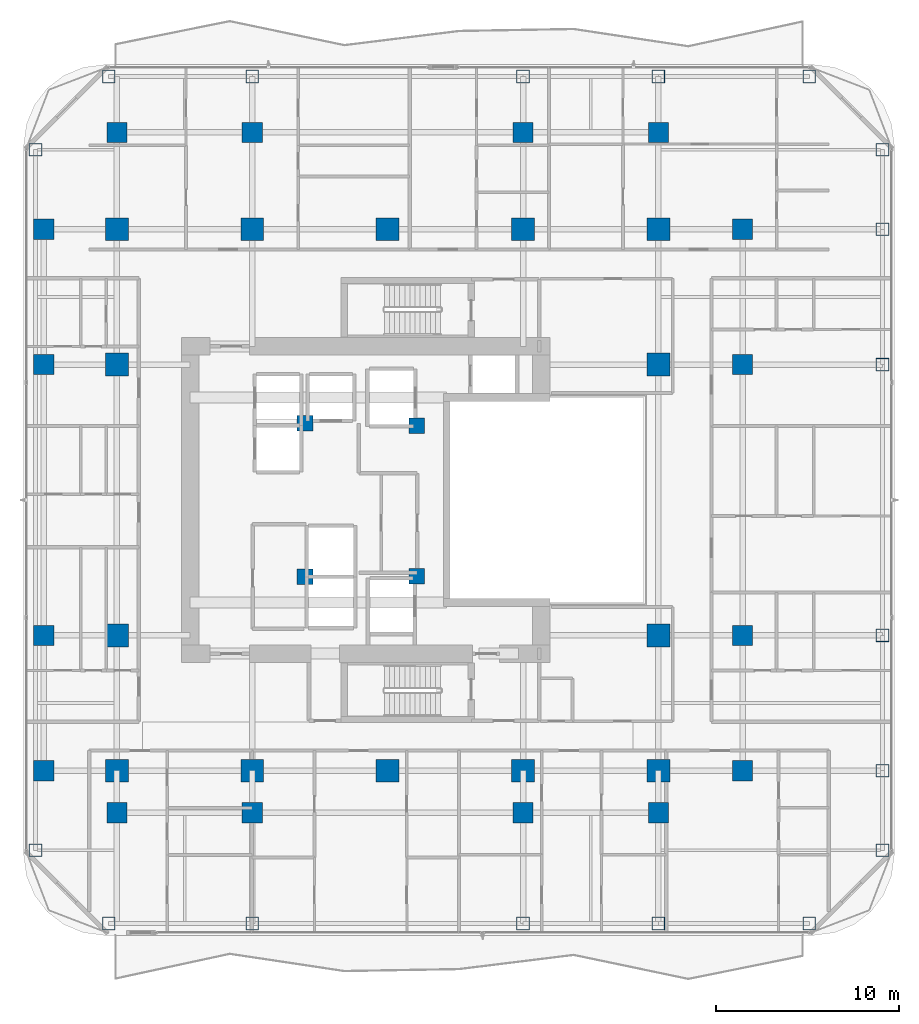
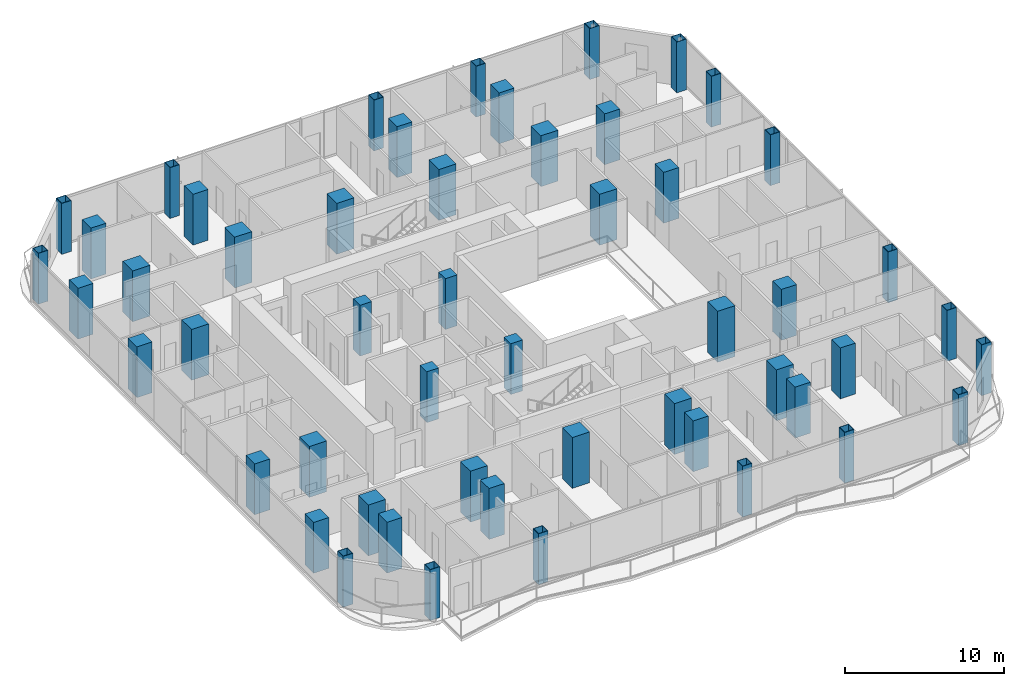
# One storey, part 1 of 29: 52 columns.
"""IFC4 building model written with IfcOpenShell, lengths in metres."""

from ifc_helpers import new_model, si_unit, direction, frame, origin, origin_2d, place, context, subcontext, project, spatial, rectangle, hollow_rectangle, extrude, material, material_profile, profile_set, type_object, element, save


model = new_model("IFC4")

# Units and contexts
model_context = context("Model", 3, precision=1e-05, world=origin(), true_north=direction((0.0, 1.0)))
body_context = subcontext(model_context, "Body", "Model", "MODEL_VIEW")
ifc_project = project(units=[si_unit("LENGTHUNIT", "METRE"), si_unit("AREAUNIT", "SQUARE_METRE"), si_unit("VOLUMEUNIT", "CUBIC_METRE"), si_unit("PLANEANGLEUNIT", "RADIAN"), si_unit("MASSUNIT", "GRAM", prefix="KILO")], contexts=[model_context])

# Site, building, storey
site_placement = place(None, origin())
site = spatial("IfcSite", under=ifc_project, at=site_placement, CompositionType="ELEMENT")
building_placement = place(site_placement, origin())
building = spatial("IfcBuilding", under=site, at=building_placement, Name="Khorvyn Point Tower", CompositionType="ELEMENT")
storey_placement = place(building_placement, frame((0.0, 0.0, 144.60009765625)))
storey = spatial("IfcBuildingStorey", under=building, at=storey_placement, Name="L36", CompositionType="ELEMENT", Elevation=144.60009765625)

# Columns
ifc_material_1 = material(Name="Concrete C40/50", Category="concrete")
ifc_material_profile_1 = material_profile(ifc_material_1, rectangle(XDim=0.85009765625, YDim=0.85009765625, at=origin_2d()))
ifc_profile_set_1 = profile_set([ifc_material_profile_1], Name="Concrete C40/50 RC850x850")
column_type_1 = type_object("IfcColumnType", Name="Concrete C40/50 Column RC850x850", PredefinedType="COLUMN", material=ifc_profile_set_1)
for number, where, z_axis, x_axis, name in (
    (1, (-4.52001953125, -4.199951171875, 0.0), (0.0, 0.0, 1.0), (1.0, 0.0, 0.0), "L36 Crown Core Spine Column 1"),
    (2, (1.580078125, -4.179931640625, 0.0), (0.0, 0.0, 1.0), (1.0, 0.0, 0.0), "L36 Crown Core Spine Column 2"),
    (3, (1.580078125, 4.050048828125, 0.0), (0.0, 0.0, 1.0), (1.0, 0.0, 0.0), "L36 Crown Core Spine Column 3"),
    (4, (-4.52001953125, 4.199951171875, 0.0), (0.0, 0.0, 1.0), (1.0, 0.0, 0.0), "L36 Crown Core Spine Column 4"),
):
    element("IfcColumn", number, at=place(storey_placement, frame(where, z_axis=z_axis, x_axis=x_axis)), inside=storey, type_object=column_type_1, Name=name, PredefinedType="COLUMN", context=body_context, shape_type="SweptSolid", body=[
        extrude(rectangle(XDim=0.85009765625, YDim=0.85009765625, at=origin_2d()), origin(), (0.0, 0.0, 1.0), 3.89990234375),
    ])
ifc_material_2 = material(Name="Concrete C45/55", Category="concrete")
ifc_material_profile_2 = material_profile(ifc_material_2, rectangle(XDim=1.10009765625, YDim=1.10009765625, at=origin_2d()))
ifc_profile_set_2 = profile_set([ifc_material_profile_2], Name="Concrete C45/55 RC1100x1100")
column_type_2 = type_object("IfcColumnType", Name="Concrete C45/55 Column RC1100x1100", PredefinedType="COLUMN", material=ifc_profile_set_2)
for number, where, z_axis, x_axis, name in (
    (5, (-18.800048828125, -14.800048828125, 0.0), (0.0, 0.0, 1.0), (1.0, 0.0, 0.0), "L36 Intermediate Column ICW--14"),
    (6, (-18.800048828125, -7.39990234375, 0.0), (0.0, 0.0, 1.0), (1.0, 0.0, 0.0), "L36 Intermediate Column ICW--7"),
    (7, (-18.800048828125, 7.39990234375, 0.0), (0.0, 0.0, 1.0), (1.0, 0.0, 0.0), "L36 Intermediate Column ICW-7"),
    (8, (-18.800048828125, 14.800048828125, 0.0), (0.0, 0.0, 1.0), (1.0, 0.0, 0.0), "L36 Intermediate Column ICW-14"),
    (9, (19.39990234375, -14.800048828125, 0.0), (0.0, 0.0, 1.0), (1.0, 0.0, 0.0), "L36 Intermediate Column ICE--14"),
    (10, (19.39990234375, -7.39990234375, 0.0), (0.0, 0.0, 1.0), (1.0, 0.0, 0.0), "L36 Intermediate Column ICE--7"),
    (11, (19.39990234375, 7.39990234375, 0.0), (0.0, 0.0, 1.0), (1.0, 0.0, 0.0), "L36 Intermediate Column ICE-7"),
    (12, (19.39990234375, 14.800048828125, 0.0), (0.0, 0.0, 1.0), (1.0, 0.0, 0.0), "L36 Intermediate Column ICE-14"),
    (13, (-14.800048828125, -17.10009765625, 0.0), (0.0, 0.0, 1.0), (1.0, 0.0, 0.0), "L36 Intermediate Column ICS--14"),
    (14, (-7.39990234375, -17.10009765625, 0.0), (0.0, 0.0, 1.0), (1.0, 0.0, 0.0), "L36 Intermediate Column ICS--7"),
    (15, (7.39990234375, -17.10009765625, 0.0), (0.0, 0.0, 1.0), (1.0, 0.0, 0.0), "L36 Intermediate Column ICS-7"),
    (16, (14.800048828125, -17.10009765625, 0.0), (0.0, 0.0, 1.0), (1.0, 0.0, 0.0), "L36 Intermediate Column ICS-14"),
    (17, (-14.800048828125, 20.10009765625, 0.0), (0.0, 0.0, 1.0), (1.0, 0.0, 0.0), "L36 Intermediate Column ICN--14"),
    (18, (-7.39990234375, 20.10009765625, 0.0), (0.0, 0.0, 1.0), (1.0, 0.0, 0.0), "L36 Intermediate Column ICN--7"),
    (19, (7.39990234375, 20.10009765625, 0.0), (0.0, 0.0, 1.0), (1.0, 0.0, 0.0), "L36 Intermediate Column ICN-7"),
    (20, (14.800048828125, 20.10009765625, 0.0), (0.0, 0.0, 1.0), (1.0, 0.0, 0.0), "L36 Intermediate Column ICN-14"),
):
    element("IfcColumn", number, at=place(storey_placement, frame(where, z_axis=z_axis, x_axis=x_axis)), inside=storey, type_object=column_type_2, Name=name, PredefinedType="COLUMN", context=body_context, shape_type="SweptSolid", body=[
        extrude(rectangle(XDim=1.10009765625, YDim=1.10009765625, at=origin_2d()), origin(), (0.0, 0.0, 1.0), 3.89990234375),
    ])
ifc_material_3 = material(Name="Concrete C50/60", Category="concrete")
ifc_material_profile_3 = material_profile(ifc_material_3, rectangle(XDim=1.25, YDim=1.25, at=origin_2d()))
ifc_profile_set_3 = profile_set([ifc_material_profile_3], Name="Concrete C50/60 RC1250x1250")
column_type_3 = type_object("IfcColumnType", Name="Concrete C50/60 Column RC1250x1250", PredefinedType="COLUMN", material=ifc_profile_set_3)
for number, where, z_axis, x_axis, name in (
    (21, (-14.800048828125, -14.800048828125, 0.0), (0.0, 0.0, 1.0), (1.0, 0.0, 0.0), "L36 Mega-Column MC-01"),
    (22, (-7.39990234375, -14.800048828125, 0.0), (0.0, 0.0, 1.0), (1.0, 0.0, 0.0), "L36 Mega-Column MC-02"),
    (23, (0.0, -14.800048828125, 0.0), (0.0, 0.0, 1.0), (1.0, 0.0, 0.0), "L36 Mega-Column MC-03"),
    (24, (7.39990234375, -14.800048828125, 0.0), (0.0, 0.0, 1.0), (1.0, 0.0, 0.0), "L36 Mega-Column MC-04"),
    (25, (14.800048828125, -14.800048828125, 0.0), (0.0, 0.0, 1.0), (1.0, 0.0, 0.0), "L36 Mega-Column MC-05"),
    (26, (-14.800048828125, 14.800048828125, 0.0), (0.0, 0.0, 1.0), (1.0, 0.0, 0.0), "L36 Mega-Column MC-06"),
    (27, (-7.39990234375, 14.800048828125, 0.0), (0.0, 0.0, 1.0), (1.0, 0.0, 0.0), "L36 Mega-Column MC-07"),
    (28, (0.0, 14.800048828125, 0.0), (0.0, 0.0, 1.0), (1.0, 0.0, 0.0), "L36 Mega-Column MC-08"),
    (29, (7.39990234375, 14.800048828125, 0.0), (0.0, 0.0, 1.0), (1.0, 0.0, 0.0), "L36 Mega-Column MC-09"),
    (30, (14.800048828125, 14.800048828125, 0.0), (0.0, 0.0, 1.0), (1.0, 0.0, 0.0), "L36 Mega-Column MC-10"),
    (31, (-14.800048828125, -7.39990234375, 0.0), (0.0, 0.0, 1.0), (1.0, 0.0, 0.0), "L36 Mega-Column MC-11"),
    (32, (-14.800048828125, 7.39990234375, 0.0), (0.0, 0.0, 1.0), (1.0, 0.0, 0.0), "L36 Mega-Column MC-12"),
    (33, (14.800048828125, -7.39990234375, 0.0), (0.0, 0.0, 1.0), (1.0, 0.0, 0.0), "L36 Mega-Column MC-13"),
    (34, (14.800048828125, 7.39990234375, 0.0), (0.0, 0.0, 1.0), (1.0, 0.0, 0.0), "L36 Mega-Column MC-14"),
):
    element("IfcColumn", number, at=place(storey_placement, frame(where, z_axis=z_axis, x_axis=x_axis)), inside=storey, type_object=column_type_3, Name=name, PredefinedType="COLUMN", context=body_context, shape_type="SweptSolid", body=[
        extrude(rectangle(XDim=1.25, YDim=1.25, at=origin_2d()), origin(), (0.0, 0.0, 1.0), 3.89990234375),
    ])
ifc_material_4 = material(Name="Steel S450", Category="steel")
ifc_material_profile_4 = material_profile(ifc_material_4, hollow_rectangle(XDim=0.699951171875, YDim=0.699951171875, WallThickness=0.031982421875, at=origin_2d()))
ifc_profile_set_4 = profile_set([ifc_material_profile_4], Name="Steel S450 BOX700x700x32")
column_type_4 = type_object("IfcColumnType", Name="Steel S450 Structural Column BOX700x700x32", PredefinedType="COLUMN", material=ifc_profile_set_4)
for number, where, z_axis, x_axis, name in (
    (35, (-15.25, -23.14990234375, 0.0), (0.0, 0.0, 1.0), (1.0, 0.0, 0.0), "L36 Perimeter Tube Column TC-01"),
    (36, (23.050048828125, -23.14990234375, 0.0), (0.0, 0.0, 1.0), (1.0, 0.0, 0.0), "L36 Perimeter Tube Column TC-02"),
    (37, (-15.25, 23.14990234375, 0.0), (0.0, 0.0, 1.0), (1.0, 0.0, 0.0), "L36 Perimeter Tube Column TC-03"),
    (38, (23.050048828125, 23.14990234375, 0.0), (0.0, 0.0, 1.0), (1.0, 0.0, 0.0), "L36 Perimeter Tube Column TC-04"),
    (39, (-19.25, -19.14990234375, 0.0), (0.0, 0.0, 1.0), (1.0, 0.0, 0.0), "L36 Perimeter Tube Column TC-05"),
    (40, (-19.25, 19.14990234375, 0.0), (0.0, 0.0, 1.0), (1.0, 0.0, 0.0), "L36 Perimeter Tube Column TC-06"),
    (41, (27.050048828125, -19.14990234375, 0.0), (0.0, 0.0, 1.0), (1.0, 0.0, 0.0), "L36 Perimeter Tube Column TC-07"),
    (42, (27.050048828125, 19.14990234375, 0.0), (0.0, 0.0, 1.0), (1.0, 0.0, 0.0), "L36 Perimeter Tube Column TC-08"),
    (43, (-7.39990234375, -23.14990234375, 0.0), (0.0, 0.0, 1.0), (1.0, 0.0, 0.0), "L36 Perimeter Tube Column TC-09"),
    (44, (-7.39990234375, 23.14990234375, 0.0), (0.0, 0.0, 1.0), (1.0, 0.0, 0.0), "L36 Perimeter Tube Column TC-10"),
    (45, (7.39990234375, -23.14990234375, 0.0), (0.0, 0.0, 1.0), (1.0, 0.0, 0.0), "L36 Perimeter Tube Column TC-11"),
    (46, (7.39990234375, 23.14990234375, 0.0), (0.0, 0.0, 1.0), (1.0, 0.0, 0.0), "L36 Perimeter Tube Column TC-12"),
    (47, (14.800048828125, -23.14990234375, 0.0), (0.0, 0.0, 1.0), (1.0, 0.0, 0.0), "L36 Perimeter Tube Column TC-13"),
    (48, (14.800048828125, 23.14990234375, 0.0), (0.0, 0.0, 1.0), (1.0, 0.0, 0.0), "L36 Perimeter Tube Column TC-14"),
    (49, (27.050048828125, -14.800048828125, 0.0), (0.0, 0.0, 1.0), (1.0, 0.0, 0.0), "L36 Perimeter Tube Column TC-15"),
    (50, (27.050048828125, -7.39990234375, 0.0), (0.0, 0.0, 1.0), (1.0, 0.0, 0.0), "L36 Perimeter Tube Column TC-16"),
    (51, (27.050048828125, 7.39990234375, 0.0), (0.0, 0.0, 1.0), (1.0, 0.0, 0.0), "L36 Perimeter Tube Column TC-17"),
    (52, (27.050048828125, 14.800048828125, 0.0), (0.0, 0.0, 1.0), (1.0, 0.0, 0.0), "L36 Perimeter Tube Column TC-18"),
):
    element("IfcColumn", number, at=place(storey_placement, frame(where, z_axis=z_axis, x_axis=x_axis)), inside=storey, type_object=column_type_4, Name=name, PredefinedType="COLUMN", context=body_context, shape_type="SweptSolid", body=[
        extrude(hollow_rectangle(XDim=0.699951171875, YDim=0.699951171875, WallThickness=0.031982421875, at=origin_2d()), origin(), (0.0, 0.0, 1.0), 3.89990234375),
    ])

save(model, "model.ifc")
